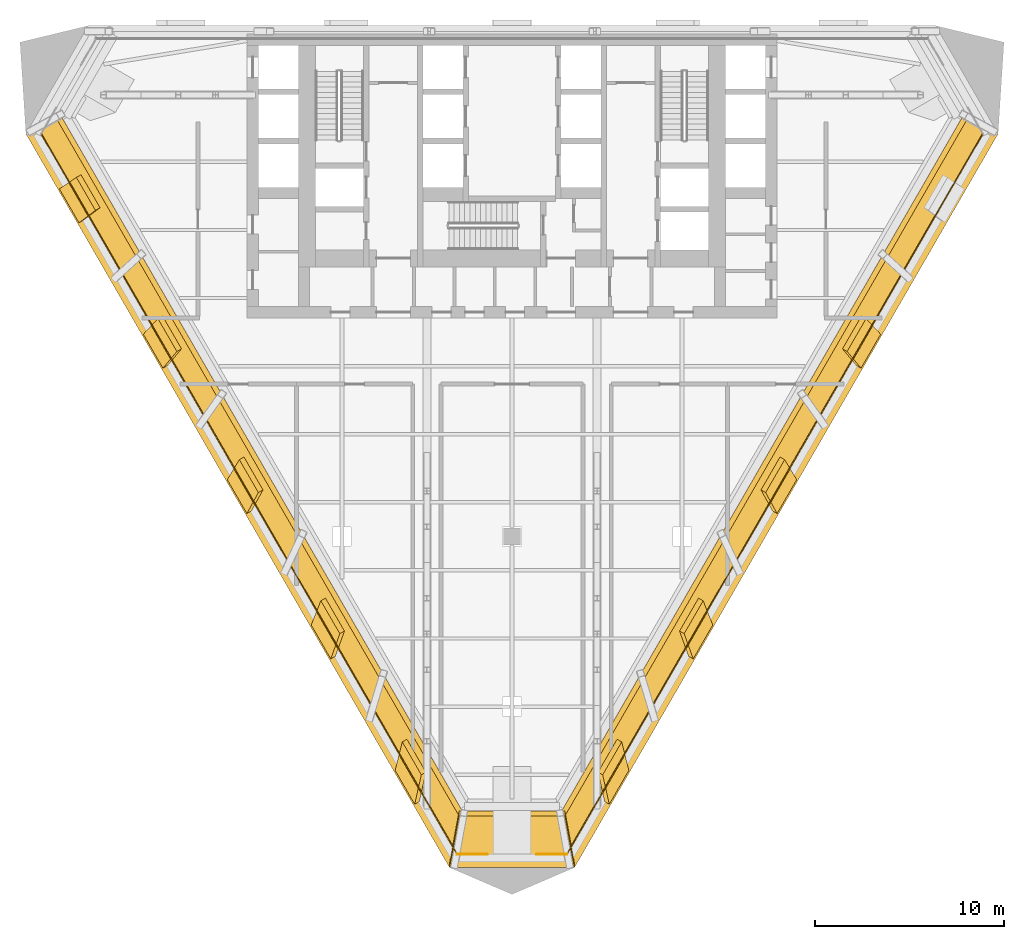
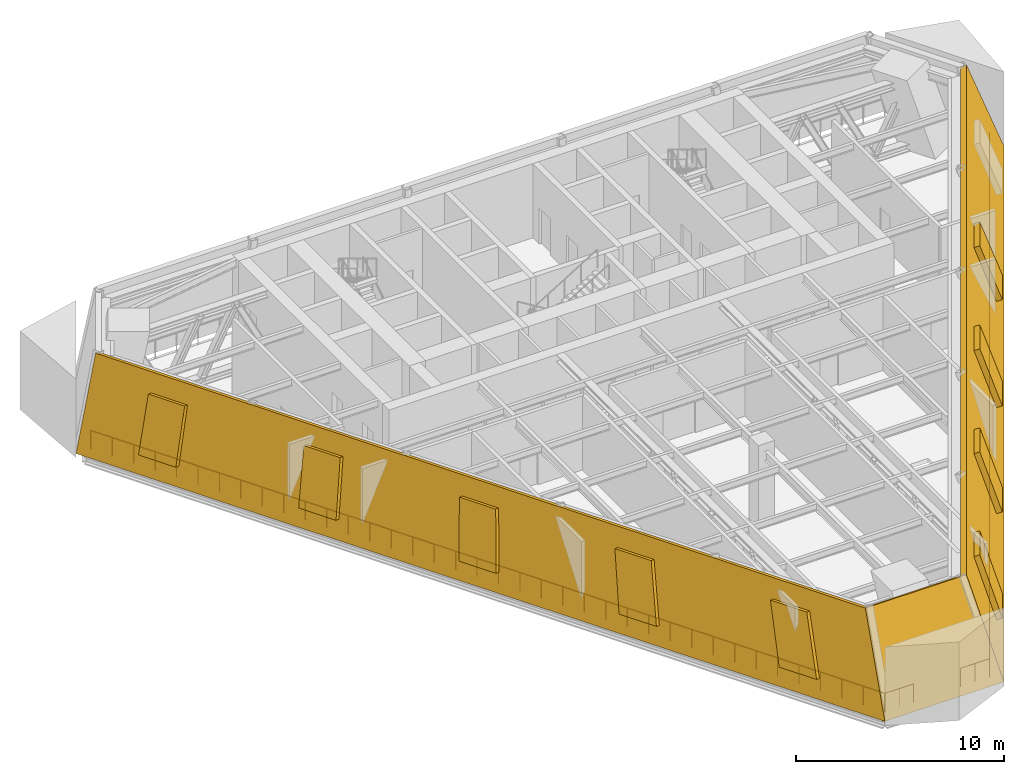
# One storey, part 6 of 9: 9 shading devices, 4 railings, 3 coverings.
"""IFC4 building model written with IfcOpenShell, lengths in metres."""

from ifc_helpers import new_model, si_unit, direction, frame, origin, origin_2d, place, context, subcontext, project, spatial, polyline, circle, outline, extrude, material, layer, layer_set, type_object, element, save


model = new_model("IFC4")

# Units and contexts
model_context = context("Model", 3, precision=1e-05, world=origin(), true_north=direction((0.0, 1.0)))
body_context = subcontext(model_context, "Body", "Model", "MODEL_VIEW")
ifc_project = project(units=[si_unit("LENGTHUNIT", "METRE"), si_unit("AREAUNIT", "SQUARE_METRE"), si_unit("VOLUMEUNIT", "CUBIC_METRE"), si_unit("PLANEANGLEUNIT", "RADIAN"), si_unit("MASSUNIT", "GRAM", prefix="KILO")], contexts=[model_context])

# Site, building, storey
site_placement = place(None, origin())
site = spatial("IfcSite", under=ifc_project, at=site_placement, CompositionType="ELEMENT")
building_placement = place(site_placement, origin())
building = spatial("IfcBuilding", under=site, at=building_placement, Name="Aloe Facet Convention Tower", CompositionType="ELEMENT")
storey_placement = place(building_placement, frame((0.0, 0.0, 77.0)))
storey = spatial("IfcBuildingStorey", under=building, at=storey_placement, Name="L18", CompositionType="ELEMENT", Elevation=77.0)

# Coverings
ifc_material_1 = material(Name="Granite cladding, bronze anchors", Category="masonry")
ifc_layer_1 = layer(ifc_material_1, 0.300048828125)
ifc_layer_set_1 = layer_set([ifc_layer_1], Name="EV-CLAD-STONE")
covering_type = type_object("IfcCoveringType", Name="EV-CLAD-STONE", PredefinedType="CLADDING", material=ifc_layer_set_1)
covering_1_placement = place(storey_placement, frame((54.300048828125, 129.2841796875, 0.0), z_axis=(-0.810890219895, -0.468167467541, 0.351107210998), x_axis=(0.499999747626, -0.866025549493, -2.36488e-07)))
element("IfcCovering", 1, at=covering_1_placement, inside=storey, type_object=covering_type, Name="CLADDING L18-W", PredefinedType="CLADDING", context=body_context, shape_type="SweptSolid", body=[
    extrude(outline(polyline([(0.0, 0.0), (44.79987623726666, 0.0), (42.68225922806942, 5.126431853130385), (0.039233665712811484, 5.126409767889769), (0.0, 0.0)])), origin(), (0.0, 0.0, -1.0), 0.300048828125),
])
covering_2_placement = place(storey_placement, frame((76.699951171875, 90.486328125, 0.0), z_axis=(0.0, -0.86894397542, 0.494910464206), x_axis=(1.0, 0.0, 0.0)))
element("IfcCovering", 2, at=covering_2_placement, inside=storey, type_object=covering_type, Name="CLADDING L18-B", PredefinedType="CLADDING", context=body_context, shape_type="SweptSolid", body=[
    extrude(outline(polyline([(0.0, 0.0), (6.60009765625, 0.0), (6.10009765625, 5.524002655986132), (0.5, 5.524002655986132), (0.0, 0.0)])), origin(), (0.0, 0.0, -1.0), 0.300048828125),
])
covering_3_placement = place(storey_placement, frame((83.300048828125, 90.486328125, 0.0), z_axis=(0.810890219895, -0.468167467541, 0.351107210998), x_axis=(0.499999747626, 0.866025549493, 2.36488e-07)))
element("IfcCovering", 3, at=covering_3_placement, inside=storey, type_object=covering_type, Name="CLADDING L18-E", PredefinedType="CLADDING", context=body_context, shape_type="SweptSolid", body=[
    extrude(outline(polyline([(0.0, 0.0), (44.79987623726666, 0.0), (44.76064257155385, 5.126409767889768), (2.1176170091972404, 5.126431853130384), (0.0, 0.0)])), origin(), (0.0, 0.0, -1.0), 0.300048828125),
])

# Railings
ifc_material_2 = material(Name="Steel S355", Category="steel")
railing_type = type_object("IfcRailingType", Name="EV-GUARD-PORTAL", PredefinedType="GUARDRAIL", material=ifc_material_2)
railing_1_placement = place(storey_placement, frame((104.8916015625, 129.2841796875, 0.0)))
element("IfcRailing", 4, at=railing_1_placement, inside=storey, type_object=railing_type, Name="GUARD L18-3", PredefinedType="GUARDRAIL", context=body_context, shape_type="SweptSolid", body=[
    extrude(circle(Radius=0.02392578125, at=origin_2d()), frame((0.0, 0.0, 1.076171875), z_axis=(-0.500000282382, -0.866025240751, 0.0), x_axis=(0.866025240751, -0.500000282382, 0.0)), (0.0, 0.0, 1.0), 43.99169921875),
    extrude(circle(Radius=0.02099609375, at=origin_2d()), origin(), (0.0, 0.0, 1.0), 1.052001953125),
    extrude(circle(Radius=0.02099609375, at=origin_2d()), frame((-0.594482421875, -1.02978515625, 0.0)), (0.0, 0.0, 1.0), 1.052001953125),
    extrude(circle(Radius=0.02099609375, at=origin_2d()), frame((-1.18896484375, -2.059326171875, 0.0)), (0.0, 0.0, 1.0), 1.052001953125),
    extrude(circle(Radius=0.02099609375, at=origin_2d()), frame((-1.783447265625, -3.089111328125, 0.0)), (0.0, 0.0, 1.0), 1.052001953125),
    extrude(circle(Radius=0.02099609375, at=origin_2d()), frame((-2.3779296875, -4.11865234375, 0.0)), (0.0, 0.0, 1.0), 1.052001953125),
    extrude(circle(Radius=0.02099609375, at=origin_2d()), frame((-2.972412109375, -5.1484375, 0.0)), (0.0, 0.0, 1.0), 1.052001953125),
    extrude(circle(Radius=0.02099609375, at=origin_2d()), frame((-3.56689453125, -6.177978515625, 0.0)), (0.0, 0.0, 1.0), 1.052001953125),
    extrude(circle(Radius=0.02099609375, at=origin_2d()), frame((-4.161376953125, -7.207763671875, 0.0)), (0.0, 0.0, 1.0), 1.052001953125),
    extrude(circle(Radius=0.02099609375, at=origin_2d()), frame((-4.755859375, -8.2373046875, 0.0)), (0.0, 0.0, 1.0), 1.052001953125),
    extrude(circle(Radius=0.02099609375, at=origin_2d()), frame((-5.350341796875, -9.26708984375, 0.0)), (0.0, 0.0, 1.0), 1.052001953125),
    extrude(circle(Radius=0.02099609375, at=origin_2d()), frame((-5.94482421875, -10.296630859375, 0.0)), (0.0, 0.0, 1.0), 1.052001953125),
    extrude(circle(Radius=0.02099609375, at=origin_2d()), frame((-6.539306640625, -11.326416015625, 0.0)), (0.0, 0.0, 1.0), 1.052001953125),
    extrude(circle(Radius=0.02099609375, at=origin_2d()), frame((-7.1337890625, -12.35595703125, 0.0)), (0.0, 0.0, 1.0), 1.052001953125),
    extrude(circle(Radius=0.02099609375, at=origin_2d()), frame((-7.728271484375, -13.3857421875, 0.0)), (0.0, 0.0, 1.0), 1.052001953125),
    extrude(circle(Radius=0.02099609375, at=origin_2d()), frame((-8.32275390625, -14.41552734375, 0.0)), (0.0, 0.0, 1.0), 1.052001953125),
    extrude(circle(Radius=0.02099609375, at=origin_2d()), frame((-8.917236328125, -15.445068359375, 0.0)), (0.0, 0.0, 1.0), 1.052001953125),
    extrude(circle(Radius=0.02099609375, at=origin_2d()), frame((-9.51171875, -16.474853515625, 0.0)), (0.0, 0.0, 1.0), 1.052001953125),
    extrude(circle(Radius=0.02099609375, at=origin_2d()), frame((-10.106201171875, -17.50439453125, 0.0)), (0.0, 0.0, 1.0), 1.052001953125),
    extrude(circle(Radius=0.02099609375, at=origin_2d()), frame((-10.70068359375, -18.5341796875, 0.0)), (0.0, 0.0, 1.0), 1.052001953125),
    extrude(circle(Radius=0.02099609375, at=origin_2d()), frame((-11.295166015625, -19.563720703125, 0.0)), (0.0, 0.0, 1.0), 1.052001953125),
    extrude(circle(Radius=0.02099609375, at=origin_2d()), frame((-11.8896484375, -20.593505859375, 0.0)), (0.0, 0.0, 1.0), 1.052001953125),
    extrude(circle(Radius=0.02099609375, at=origin_2d()), frame((-12.484130859375, -21.623046875, 0.0)), (0.0, 0.0, 1.0), 1.052001953125),
    extrude(circle(Radius=0.02099609375, at=origin_2d()), frame((-13.07861328125, -22.65283203125, 0.0)), (0.0, 0.0, 1.0), 1.052001953125),
    extrude(circle(Radius=0.02099609375, at=origin_2d()), frame((-13.673095703125, -23.682373046875, 0.0)), (0.0, 0.0, 1.0), 1.052001953125),
    extrude(circle(Radius=0.02099609375, at=origin_2d()), frame((-14.267578125, -24.712158203125, 0.0)), (0.0, 0.0, 1.0), 1.052001953125),
    extrude(circle(Radius=0.02099609375, at=origin_2d()), frame((-14.862060546875, -25.741943359375, 0.0)), (0.0, 0.0, 1.0), 1.052001953125),
    extrude(circle(Radius=0.02099609375, at=origin_2d()), frame((-15.45654296875, -26.771484375, 0.0)), (0.0, 0.0, 1.0), 1.052001953125),
    extrude(circle(Radius=0.02099609375, at=origin_2d()), frame((-16.051025390625, -27.80126953125, 0.0)), (0.0, 0.0, 1.0), 1.052001953125),
    extrude(circle(Radius=0.02099609375, at=origin_2d()), frame((-16.6455078125, -28.830810546875, 0.0)), (0.0, 0.0, 1.0), 1.052001953125),
    extrude(circle(Radius=0.02099609375, at=origin_2d()), frame((-17.239990234375, -29.860595703125, 0.0)), (0.0, 0.0, 1.0), 1.052001953125),
    extrude(circle(Radius=0.02099609375, at=origin_2d()), frame((-17.83447265625, -30.89013671875, 0.0)), (0.0, 0.0, 1.0), 1.052001953125),
    extrude(circle(Radius=0.02099609375, at=origin_2d()), frame((-18.428955078125, -31.919921875, 0.0)), (0.0, 0.0, 1.0), 1.052001953125),
    extrude(circle(Radius=0.02099609375, at=origin_2d()), frame((-19.0234375, -32.949462890625, 0.0)), (0.0, 0.0, 1.0), 1.052001953125),
    extrude(circle(Radius=0.02099609375, at=origin_2d()), frame((-19.617919921875, -33.979248046875, 0.0)), (0.0, 0.0, 1.0), 1.052001953125),
    extrude(circle(Radius=0.02099609375, at=origin_2d()), frame((-20.21240234375, -35.0087890625, 0.0)), (0.0, 0.0, 1.0), 1.052001953125),
    extrude(circle(Radius=0.02099609375, at=origin_2d()), frame((-20.806884765625, -36.03857421875, 0.0)), (0.0, 0.0, 1.0), 1.052001953125),
    extrude(circle(Radius=0.02099609375, at=origin_2d()), frame((-21.4013671875, -37.068115234375, 0.0)), (0.0, 0.0, 1.0), 1.052001953125),
    extrude(circle(Radius=0.02099609375, at=origin_2d()), frame((-21.995849609375, -38.097900390625, 0.0)), (0.0, 0.0, 1.0), 1.052001953125),
])
for number, where, name in (
    (5, (82.895751953125, 91.186279296875, 0.0), "GUARD L18-4"),
    (6, (78.699951171875, 91.186279296875, 0.0), "GUARD L18-5"),
):
    element("IfcRailing", number, at=place(storey_placement, frame(where)), inside=storey, type_object=railing_type, Name=name, PredefinedType="GUARDRAIL", context=body_context, shape_type="SweptSolid", body=[
        extrude(circle(Radius=0.02392578125, at=origin_2d()), frame((0.0, 0.0, 1.076171875), z_axis=(-1.0, 0.0, 0.0), x_axis=(0.0, -1.0, 0.0)), (0.0, 0.0, 1.0), 1.595703125),
        extrude(circle(Radius=0.02099609375, at=origin_2d()), origin(), (0.0, 0.0, 1.0), 1.052001953125),
        extrude(circle(Radius=0.02099609375, at=origin_2d()), frame((-0.7978515625, 0.0, 0.0)), (0.0, 0.0, 1.0), 1.052001953125),
        extrude(circle(Radius=0.02099609375, at=origin_2d()), frame((-1.595703125, 0.0, 0.0)), (0.0, 0.0, 1.0), 1.052001953125),
    ])
railing_2_placement = place(storey_placement, frame((77.104248046875, 91.186279296875, 0.0)))
element("IfcRailing", 7, at=railing_2_placement, inside=storey, type_object=railing_type, Name="GUARD L18-6", PredefinedType="GUARDRAIL", context=body_context, shape_type="SweptSolid", body=[
    extrude(circle(Radius=0.02392578125, at=origin_2d()), frame((0.0, 0.0, 1.076171875), z_axis=(-0.500000282382, 0.866025240751, 0.0), x_axis=(-0.866025240751, -0.500000282382, 0.0)), (0.0, 0.0, 1.0), 43.99169921875),
    extrude(circle(Radius=0.02099609375, at=origin_2d()), origin(), (0.0, 0.0, 1.0), 1.052001953125),
    extrude(circle(Radius=0.02099609375, at=origin_2d()), frame((-0.594482421875, 1.02978515625, 0.0)), (0.0, 0.0, 1.0), 1.052001953125),
    extrude(circle(Radius=0.02099609375, at=origin_2d()), frame((-1.18896484375, 2.059326171875, 0.0)), (0.0, 0.0, 1.0), 1.052001953125),
    extrude(circle(Radius=0.02099609375, at=origin_2d()), frame((-1.783447265625, 3.089111328125, 0.0)), (0.0, 0.0, 1.0), 1.052001953125),
    extrude(circle(Radius=0.02099609375, at=origin_2d()), frame((-2.3779296875, 4.11865234375, 0.0)), (0.0, 0.0, 1.0), 1.052001953125),
    extrude(circle(Radius=0.02099609375, at=origin_2d()), frame((-2.972412109375, 5.1484375, 0.0)), (0.0, 0.0, 1.0), 1.052001953125),
    extrude(circle(Radius=0.02099609375, at=origin_2d()), frame((-3.56689453125, 6.177978515625, 0.0)), (0.0, 0.0, 1.0), 1.052001953125),
    extrude(circle(Radius=0.02099609375, at=origin_2d()), frame((-4.161376953125, 7.207763671875, 0.0)), (0.0, 0.0, 1.0), 1.052001953125),
    extrude(circle(Radius=0.02099609375, at=origin_2d()), frame((-4.755859375, 8.2373046875, 0.0)), (0.0, 0.0, 1.0), 1.052001953125),
    extrude(circle(Radius=0.02099609375, at=origin_2d()), frame((-5.350341796875, 9.26708984375, 0.0)), (0.0, 0.0, 1.0), 1.052001953125),
    extrude(circle(Radius=0.02099609375, at=origin_2d()), frame((-5.94482421875, 10.296630859375, 0.0)), (0.0, 0.0, 1.0), 1.052001953125),
    extrude(circle(Radius=0.02099609375, at=origin_2d()), frame((-6.539306640625, 11.326416015625, 0.0)), (0.0, 0.0, 1.0), 1.052001953125),
    extrude(circle(Radius=0.02099609375, at=origin_2d()), frame((-7.1337890625, 12.35595703125, 0.0)), (0.0, 0.0, 1.0), 1.052001953125),
    extrude(circle(Radius=0.02099609375, at=origin_2d()), frame((-7.728271484375, 13.3857421875, 0.0)), (0.0, 0.0, 1.0), 1.052001953125),
    extrude(circle(Radius=0.02099609375, at=origin_2d()), frame((-8.32275390625, 14.41552734375, 0.0)), (0.0, 0.0, 1.0), 1.052001953125),
    extrude(circle(Radius=0.02099609375, at=origin_2d()), frame((-8.917236328125, 15.445068359375, 0.0)), (0.0, 0.0, 1.0), 1.052001953125),
    extrude(circle(Radius=0.02099609375, at=origin_2d()), frame((-9.51171875, 16.474853515625, 0.0)), (0.0, 0.0, 1.0), 1.052001953125),
    extrude(circle(Radius=0.02099609375, at=origin_2d()), frame((-10.106201171875, 17.50439453125, 0.0)), (0.0, 0.0, 1.0), 1.052001953125),
    extrude(circle(Radius=0.02099609375, at=origin_2d()), frame((-10.70068359375, 18.5341796875, 0.0)), (0.0, 0.0, 1.0), 1.052001953125),
    extrude(circle(Radius=0.02099609375, at=origin_2d()), frame((-11.295166015625, 19.563720703125, 0.0)), (0.0, 0.0, 1.0), 1.052001953125),
    extrude(circle(Radius=0.02099609375, at=origin_2d()), frame((-11.8896484375, 20.593505859375, 0.0)), (0.0, 0.0, 1.0), 1.052001953125),
    extrude(circle(Radius=0.02099609375, at=origin_2d()), frame((-12.484130859375, 21.623046875, 0.0)), (0.0, 0.0, 1.0), 1.052001953125),
    extrude(circle(Radius=0.02099609375, at=origin_2d()), frame((-13.07861328125, 22.65283203125, 0.0)), (0.0, 0.0, 1.0), 1.052001953125),
    extrude(circle(Radius=0.02099609375, at=origin_2d()), frame((-13.673095703125, 23.682373046875, 0.0)), (0.0, 0.0, 1.0), 1.052001953125),
    extrude(circle(Radius=0.02099609375, at=origin_2d()), frame((-14.267578125, 24.712158203125, 0.0)), (0.0, 0.0, 1.0), 1.052001953125),
    extrude(circle(Radius=0.02099609375, at=origin_2d()), frame((-14.862060546875, 25.741943359375, 0.0)), (0.0, 0.0, 1.0), 1.052001953125),
    extrude(circle(Radius=0.02099609375, at=origin_2d()), frame((-15.45654296875, 26.771484375, 0.0)), (0.0, 0.0, 1.0), 1.052001953125),
    extrude(circle(Radius=0.02099609375, at=origin_2d()), frame((-16.051025390625, 27.80126953125, 0.0)), (0.0, 0.0, 1.0), 1.052001953125),
    extrude(circle(Radius=0.02099609375, at=origin_2d()), frame((-16.6455078125, 28.830810546875, 0.0)), (0.0, 0.0, 1.0), 1.052001953125),
    extrude(circle(Radius=0.02099609375, at=origin_2d()), frame((-17.239990234375, 29.860595703125, 0.0)), (0.0, 0.0, 1.0), 1.052001953125),
    extrude(circle(Radius=0.02099609375, at=origin_2d()), frame((-17.83447265625, 30.89013671875, 0.0)), (0.0, 0.0, 1.0), 1.052001953125),
    extrude(circle(Radius=0.02099609375, at=origin_2d()), frame((-18.428955078125, 31.919921875, 0.0)), (0.0, 0.0, 1.0), 1.052001953125),
    extrude(circle(Radius=0.02099609375, at=origin_2d()), frame((-19.0234375, 32.949462890625, 0.0)), (0.0, 0.0, 1.0), 1.052001953125),
    extrude(circle(Radius=0.02099609375, at=origin_2d()), frame((-19.617919921875, 33.979248046875, 0.0)), (0.0, 0.0, 1.0), 1.052001953125),
    extrude(circle(Radius=0.02099609375, at=origin_2d()), frame((-20.21240234375, 35.0087890625, 0.0)), (0.0, 0.0, 1.0), 1.052001953125),
    extrude(circle(Radius=0.02099609375, at=origin_2d()), frame((-20.806884765625, 36.03857421875, 0.0)), (0.0, 0.0, 1.0), 1.052001953125),
    extrude(circle(Radius=0.02099609375, at=origin_2d()), frame((-21.4013671875, 37.068115234375, 0.0)), (0.0, 0.0, 1.0), 1.052001953125),
    extrude(circle(Radius=0.02099609375, at=origin_2d()), frame((-21.995849609375, 38.097900390625, 0.0)), (0.0, 0.0, 1.0), 1.052001953125),
])

# Shading devices
ifc_material_3 = material(Name="Aluminium, anodised", Category="aluminium")
ifc_layer_2 = layer(ifc_material_3, 0.300048828125)
ifc_layer_set_2 = layer_set([ifc_layer_2], Name="EV-LOUVRE-BELT")
shading_device_type = type_object("IfcShadingDeviceType", Name="EV-LOUVRE-BELT", PredefinedType="JALOUSIE", material=ifc_layer_set_2)
shading_device_1_placement = place(storey_placement, frame((56.0732421875, 126.37109375, 1.0654296875), z_axis=(-0.810877174689, -0.468152024102, 0.351157927287), x_axis=(0.499987335631, -0.866032715231, -1.8938707e-05)))
element("IfcShadingDevice", 8, at=shading_device_1_placement, inside=storey, type_object=shading_device_type, Name="LOUVRE L18-W02", PredefinedType="JALOUSIE", context=body_context, shape_type="SweptSolid", body=[
    extrude(outline(polyline([(0.0, 0.0), (2.0705460440540215, 0.0), (1.934382331886058, 3.0757978023642485), (-0.07569118383368077, 3.0757152643763592), (0.0, 0.0)])), origin(), (0.0, 0.0, -1.0), 0.300048828125),
])
shading_device_2_placement = place(storey_placement, frame((60.510009765625, 118.686279296875, 1.0654296875), z_axis=(-0.810860987209, -0.468198696449, 0.351133080278), x_axis=(0.500037577795, -0.866003707144, -2.400322e-06)))
element("IfcShadingDevice", 9, at=shading_device_2_placement, inside=storey, type_object=shading_device_type, Name="LOUVRE L18-W05", PredefinedType="JALOUSIE", context=body_context, shape_type="SweptSolid", body=[
    extrude(outline(polyline([(0.0, 0.0), (2.070668114355777, -1.1102230246251565e-16), (1.675700793063338, 3.075732361179296), (-0.3343727273758029, 3.075721899974501), (0.0, 0.0)])), origin(), (0.0, 0.0, -1.0), 0.300048828125),
])
shading_device_3_placement = place(storey_placement, frame((64.947021484375, 111.00146484375, 1.0654296875), z_axis=(-0.81091427393, -0.468117421275, 0.351118384929), x_axis=(0.499947994934, -0.866055426839, -1.901862e-06)))
element("IfcShadingDevice", 10, at=shading_device_3_placement, inside=storey, type_object=shading_device_type, Name="LOUVRE L18-W08", PredefinedType="JALOUSIE", context=body_context, shape_type="SweptSolid", body=[
    extrude(outline(polyline([(0.0, 0.0), (2.0705460470349237, 0.0), (1.416676620766736, 3.0757128406938294), (-0.5932748295537658, 3.0757045524478164), (0.0, 0.0)])), origin(), (0.0, 0.0, -1.0), 0.300048828125),
])
shading_device_4_placement = place(storey_placement, frame((69.3837890625, 103.31640625, 1.0654296875), z_axis=(-0.810836467669, -0.468216885227, 0.351165446884), x_axis=(0.500066587848, -0.86598695583, 7.149292e-06)))
element("IfcShadingDevice", 11, at=shading_device_4_placement, inside=storey, type_object=shading_device_type, Name="LOUVRE L18-W11", PredefinedType="JALOUSIE", context=body_context, shape_type="SweptSolid", body=[
    extrude(outline(polyline([(0.0, 0.0), (2.0704566901063592, -5.551115123125783e-17), (1.1579693991121984, 3.0757590979058578), (-0.8521041207205581, 3.075790255101749), (0.0, 0.0)])), origin(), (0.0, 0.0, -1.0), 0.300048828125),
])
shading_device_5_placement = place(storey_placement, frame((73.820556640625, 95.631591796875, 1.0654296875), z_axis=(-0.810834542063, -0.468215773287, 0.351171375604), x_axis=(0.500066587926, -0.865986955784, 7.149395e-06)))
element("IfcShadingDevice", 12, at=shading_device_5_placement, inside=storey, type_object=shading_device_type, Name="LOUVRE L18-W14", PredefinedType="JALOUSIE", context=body_context, shape_type="SweptSolid", body=[
    extrude(outline(polyline([(0.0, 0.0), (2.0704566901063615, -5.551115123125783e-17), (0.8991775740665675, 3.075768378288277), (-1.110895945766183, 3.075799536010195), (0.0, 0.0)])), origin(), (0.0, 0.0, -1.0), 0.300048828125),
])
shading_device_6_placement = place(storey_placement, frame((85.14404296875, 93.838623046875, 1.0654296875), z_axis=(0.810834542063, -0.468215773287, 0.351171375604), x_axis=(0.500066587926, 0.865986955784, -7.149395e-06)))
element("IfcShadingDevice", 13, at=shading_device_6_placement, inside=storey, type_object=shading_device_type, Name="LOUVRE L18-E02", PredefinedType="JALOUSIE", context=body_context, shape_type="SweptSolid", body=[
    extrude(outline(polyline([(0.0, 0.0), (2.0704566901063615, 5.551115123125783e-17), (3.1813526358725444, 3.075799536010195), (1.171279116039794, 3.075768378288277), (0.0, 0.0)])), origin(), (0.0, 0.0, -1.0), 0.300048828125),
])
shading_device_7_placement = place(storey_placement, frame((89.580810546875, 101.5234375, 1.0654296875), z_axis=(0.810836467669, -0.468216885227, 0.351165446884), x_axis=(0.500066587848, 0.86598695583, -7.149292e-06)))
element("IfcShadingDevice", 14, at=shading_device_7_placement, inside=storey, type_object=shading_device_type, Name="LOUVRE L18-E05", PredefinedType="JALOUSIE", context=body_context, shape_type="SweptSolid", body=[
    extrude(outline(polyline([(0.0, 0.0), (2.0704566901063592, 5.551115123125783e-17), (2.9225608108269174, 3.075790255101749), (0.9124872909941609, 3.0757590979058578), (0.0, 0.0)])), origin(), (0.0, 0.0, -1.0), 0.300048828125),
])
shading_device_8_placement = place(storey_placement, frame((94.017822265625, 109.208251953125, 1.0654296875), z_axis=(0.81091427393, -0.468117421275, 0.351118384929), x_axis=(0.499947994934, 0.866055426839, 1.901862e-06)))
element("IfcShadingDevice", 15, at=shading_device_8_placement, inside=storey, type_object=shading_device_type, Name="LOUVRE L18-E08", PredefinedType="JALOUSIE", context=body_context, shape_type="SweptSolid", body=[
    extrude(outline(polyline([(0.0, 0.0), (2.0705460470349237, 0.0), (2.6638208765886895, 3.0757045524478164), (0.6538694262681877, 3.0757128406938294), (0.0, 0.0)])), origin(), (0.0, 0.0, -1.0), 0.300048828125),
])
shading_device_9_placement = place(storey_placement, frame((98.45458984375, 116.89306640625, 1.0654296875), z_axis=(0.810860987209, -0.468198696449, 0.351133080278), x_axis=(0.500037577795, 0.866003707144, 2.400322e-06)))
element("IfcShadingDevice", 16, at=shading_device_9_placement, inside=storey, type_object=shading_device_type, Name="LOUVRE L18-E11", PredefinedType="JALOUSIE", context=body_context, shape_type="SweptSolid", body=[
    extrude(outline(polyline([(0.0, 0.0), (2.070668114355777, 1.1102230246251565e-16), (2.4050408417315796, 3.0757218999745013), (0.39496732129243856, 3.075732361179296), (0.0, 0.0)])), origin(), (0.0, 0.0, -1.0), 0.300048828125),
])

save(model, "model.ifc")
